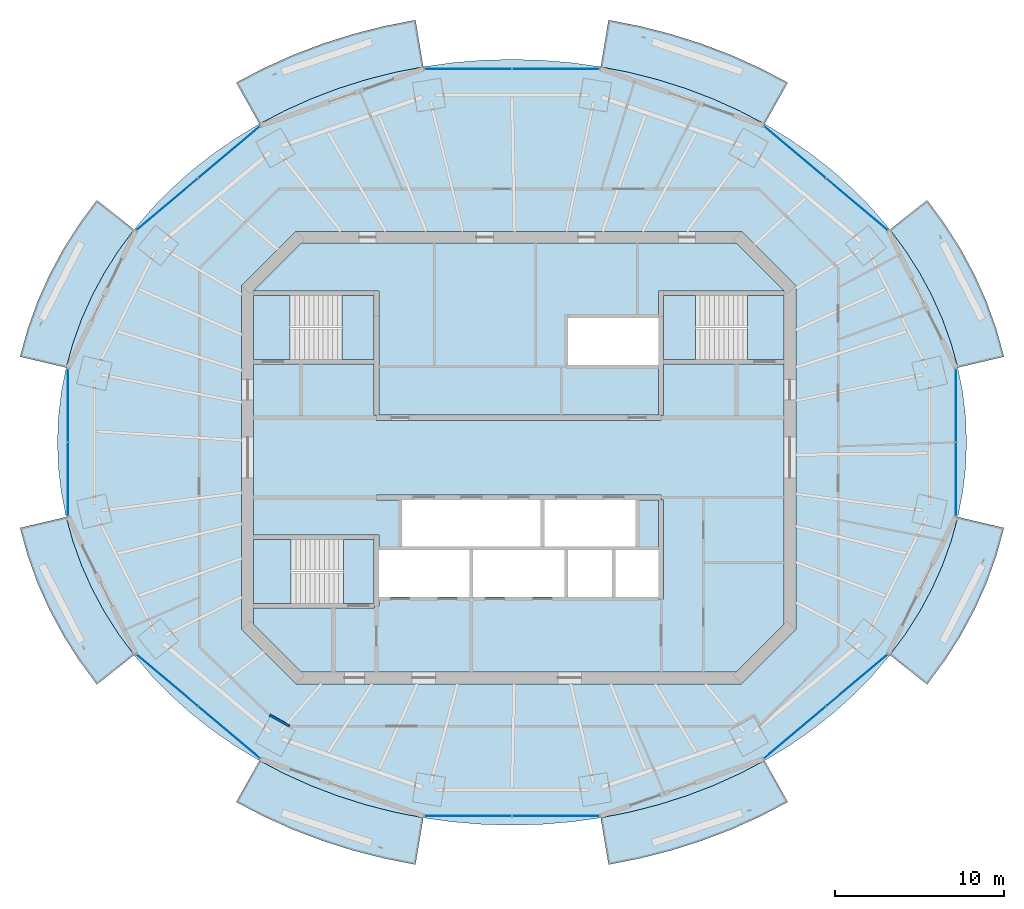
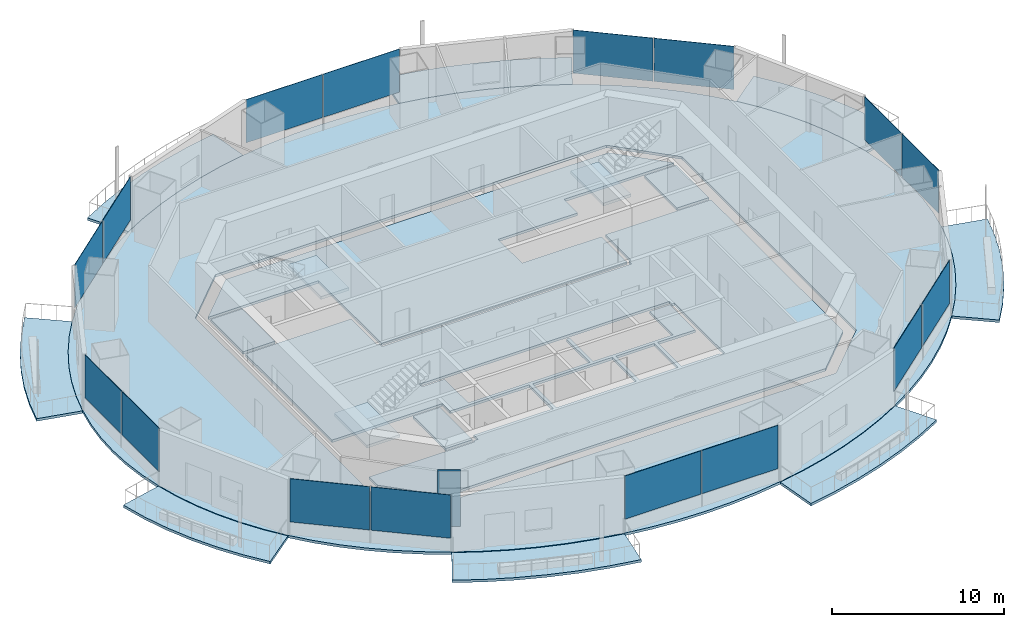
# One storey, part 7 of 16: 17 slabs, 16 plates, 1 wall, 11 elements without a shape of their own.
"""IFC4 building model written with IfcOpenShell, lengths in metres."""

import ifcopenshell
import ifcopenshell.guid

model = None  # the IFC model being written
_history = None  # IfcOwnerHistory: only IFC2X3 demands one
_inside = {}  # id of a spatial element -> (the spatial element, [elements in it])
_under = {}  # id of a project, library or spatial element -> (it, [spatial elements below it])
_declared = {}  # id of a project -> (the project, [libraries it declares])
_typed = {}  # id of a type object -> (the type object, [elements of that type])
_made_of = {}  # id of a material, layer set ... -> (it, [elements and type objects made of it])


def new_model(schema):
    """Start an empty IFC model of exactly this schema.

    Asked for "IFC4X3", IfcOpenShell would pick the latest addendum, in which some entities
    have other attributes; the version numbers below select the first issue.
    IFC2X3 requires an IfcOwnerHistory on every rooted entity: one is made here for all.
    """
    global model, _history
    if schema == "IFC4X3":
        model = ifcopenshell.file(schema_version=(4, 3, 0, 0))
    else:
        model = ifcopenshell.file(schema=schema)
    _inside.clear()
    _under.clear()
    _declared.clear()
    _typed.clear()
    _made_of.clear()
    _history = None
    if model.schema == "IFC2X3":
        org = make("IfcOrganization", Name="unknown")
        user = make(
            "IfcPersonAndOrganization",
            ThePerson=make("IfcPerson", FamilyName="unknown"),
            TheOrganization=org,
        )
        app = make(
            "IfcApplication",
            ApplicationDeveloper=org,
            Version="unknown",
            ApplicationFullName="unknown",
            ApplicationIdentifier="unknown",
        )
        _history = make(
            "IfcOwnerHistory",
            OwningUser=user,
            OwningApplication=app,
            ChangeAction="ADDED",
            CreationDate=0,
        )
    return model


def make(cls, **values):
    """One entity of the class cls with the attributes given. An attribute that is None is left unset."""
    return model.create_entity(
        cls, **{name: value for name, value in values.items() if value is not None}
    )


def rooted(cls, **values):
    """An entity with a GlobalId (a new one), such as an element, a storey or a relation."""
    return make(cls, GlobalId=ifcopenshell.guid.new(), OwnerHistory=_history, **values)


def si_unit(unit_type, name, prefix=None):
    """IfcSIUnit, for example si_unit("LENGTHUNIT", "METRE", prefix="MILLI")."""
    return make("IfcSIUnit", UnitType=unit_type, Prefix=prefix, Name=name)


def assignment(units):
    """IfcUnitAssignment: the units of a project."""
    return None if units is None else make("IfcUnitAssignment", Units=units)


def point(xyz):
    """IfcCartesianPoint."""
    return None if xyz is None else make("IfcCartesianPoint", Coordinates=xyz)


def direction(xyz):
    """IfcDirection."""
    return None if xyz is None else make("IfcDirection", DirectionRatios=xyz)


def frame(location, z_axis=None, x_axis=None):
    """IfcAxis2Placement3D, a coordinate frame: its origin and axes. An axis left out is left unset."""
    return make(
        "IfcAxis2Placement3D",
        Location=point(location),
        Axis=direction(z_axis),
        RefDirection=direction(x_axis),
    )


def frame_2d(location, x_axis=None):
    """IfcAxis2Placement2D, a coordinate frame in the plane: its origin and x axis."""
    return make(
        "IfcAxis2Placement2D", Location=point(location), RefDirection=direction(x_axis)
    )


def origin():
    """The frame at (0, 0, 0) with its axes left unset."""
    return frame((0.0, 0.0, 0.0))


def origin_2d():
    """The frame at (0, 0) in the plane with its x axis left unset."""
    return frame_2d((0.0, 0.0))


def place(relative_to, where):
    """IfcLocalPlacement: puts the frame where relative to a parent placement (None: the world)."""
    return make(
        "IfcLocalPlacement", PlacementRelTo=relative_to, RelativePlacement=where
    )


def context(
    kind, dimensions, precision=None, world=None, true_north=None, identifier=None
):
    """IfcGeometricRepresentationContext, for example the 3D "Model" context."""
    return make(
        "IfcGeometricRepresentationContext",
        ContextIdentifier=identifier,
        ContextType=kind,
        CoordinateSpaceDimension=dimensions,
        Precision=precision,
        WorldCoordinateSystem=world,
        TrueNorth=true_north,
    )


def subcontext(parent, identifier, kind, view, scale=None):
    """IfcGeometricRepresentationSubContext, for example "Body" below "Model"."""
    return make(
        "IfcGeometricRepresentationSubContext",
        ContextIdentifier=identifier,
        ContextType=kind,
        ParentContext=parent,
        TargetScale=scale,
        TargetView=view,
    )


def project(units=None, contexts=None):
    """IfcProject with its units and contexts."""
    return rooted(
        "IfcProject",
        Name="project",
        RepresentationContexts=contexts,
        UnitsInContext=assignment(units),
    )


def spatial(cls, under=None, at=None, **own):
    """A site, building, storey or space (cls), placed at a placement, below another one or the project."""
    s = rooted(cls, ObjectPlacement=at, **own)
    if under is not None:
        _under.setdefault(under.id(), (under, []))[1].append(s)
    return s


def polyline(points):
    """IfcPolyline through the points."""
    return make("IfcPolyline", Points=[point(p) for p in points])


def profile(cls, at=None, kind="AREA", **sizes):
    """A parametric profile (cls). Its sizes go by their IFC names, for example OverallWidth=200.0."""
    return make(cls, ProfileType=kind, Position=at, **sizes)


def rectangle(**sizes):
    """IfcRectangleProfileDef."""
    return profile("IfcRectangleProfileDef", **sizes)


def outline(outer, holes=None, kind="AREA"):
    """IfcArbitraryClosedProfileDef: a profile drawn as a closed curve; with holes, ...WithVoids."""
    if holes is None:
        return make("IfcArbitraryClosedProfileDef", ProfileType=kind, OuterCurve=outer)
    return make(
        "IfcArbitraryProfileDefWithVoids",
        ProfileType=kind,
        OuterCurve=outer,
        InnerCurves=holes,
    )


def extrude(swept, where, along, depth):
    """IfcExtrudedAreaSolid: the profile swept, set in the frame where, extruded along a direction by depth."""
    return make(
        "IfcExtrudedAreaSolid",
        SweptArea=swept,
        Position=where,
        ExtrudedDirection=direction(along),
        Depth=depth,
    )


def shape(context_of_items, identifier, shape_type, items):
    """IfcShapeRepresentation: the items that make up one representation, for example the "Body"."""
    return make(
        "IfcShapeRepresentation",
        ContextOfItems=context_of_items,
        RepresentationIdentifier=identifier,
        RepresentationType=shape_type,
        Items=items,
    )


def material(Name=None, Category=None):
    """IfcMaterial."""
    return make("IfcMaterial", Name=Name, Category=Category)


def layer(
    of_material, thickness, ventilated=None, Name=None, Category=None, Priority=None
):
    """IfcMaterialLayer: one layer of a wall or slab, of a material (None: an air gap)."""
    return make(
        "IfcMaterialLayer",
        Material=of_material,
        LayerThickness=thickness,
        IsVentilated=ventilated,
        Name=Name,
        Category=Category,
        Priority=Priority,
    )


def layer_set(layers, Name=None):
    """IfcMaterialLayerSet."""
    return make("IfcMaterialLayerSet", MaterialLayers=layers, LayerSetName=Name)


def made_of(thing, what):
    """Note that an element or type object is made of a material, layer set ...; save() writes the relation."""
    if what is not None:
        _made_of.setdefault(what.id(), (what, []))[1].append(thing)
    return thing


def type_object(cls, material=None, **own):
    """A type object (cls), such as IfcWallType, which elements share."""
    return made_of(rooted(cls, **own), material)


def element(
    cls,
    number,
    at=None,
    inside=None,
    cuts=None,
    type_object=None,
    material=None,
    context=None,
    identifier="Body",
    shape_type=None,
    held_by="IfcProductDefinitionShape",
    body=None,
    shapes=None,
    **own,
):
    """One element of the class cls, such as IfcWall. Its Tag is "e" and its number.

    at: its placement. inside: the storey or other place that contains it. cuts: it is an
    opening in that element (IfcRelVoidsElement). A single representation is given by context,
    identifier, shape_type and body (its items); several are given by shapes. held_by: the class
    of the entity that holds the representations. save() writes the other relations.
    """
    e = rooted(cls, Tag="e%d" % number, ObjectPlacement=at, **own)
    if body is not None:
        shapes = [shape(context, identifier, shape_type, body)]
    if shapes is not None:
        e.Representation = make(held_by, Representations=shapes)
    if inside is not None:
        _inside.setdefault(inside.id(), (inside, []))[1].append(e)
    if cuts is not None:
        rooted(
            "IfcRelVoidsElement", RelatingBuildingElement=cuts, RelatedOpeningElement=e
        )
    if type_object is not None:
        _typed.setdefault(type_object.id(), (type_object, []))[1].append(e)
    return made_of(e, material)


def aggregate(whole, parts):
    """IfcRelAggregates: a whole, such as a stair, and the parts it consists of."""
    return rooted("IfcRelAggregates", RelatingObject=whole, RelatedObjects=parts)


def save(model, path):
    """Write the relations noted so far, then the file.

    IfcRelAggregates (storeys below a building ...), IfcRelContainedInSpatialStructure (elements
    in a storey), IfcRelDefinesByType, IfcRelAssociatesMaterial and IfcRelDeclares: one each for
    every whole, place, type object, material and project.
    """
    for whole, parts in _under.values():
        aggregate(whole, parts)
    for where, things in _inside.values():
        rooted(
            "IfcRelContainedInSpatialStructure",
            RelatedElements=things,
            RelatingStructure=where,
        )
    for kind, things in _typed.values():
        rooted("IfcRelDefinesByType", RelatedObjects=things, RelatingType=kind)
    for what, things in _made_of.values():
        rooted("IfcRelAssociatesMaterial", RelatedObjects=things, RelatingMaterial=what)
    for by, libraries in _declared.values():
        rooted("IfcRelDeclares", RelatingContext=by, RelatedDefinitions=libraries)
    model.write(path)


model = new_model("IFC4")

# Units and contexts
model_context = context("Model", 3, precision=1e-05, world=origin(), true_north=direction((0.0, 1.0)))
body_context = subcontext(model_context, "Body", "Model", "MODEL_VIEW")
ifc_project = project(units=[si_unit("LENGTHUNIT", "METRE"), si_unit("AREAUNIT", "SQUARE_METRE"), si_unit("VOLUMEUNIT", "CUBIC_METRE"), si_unit("PLANEANGLEUNIT", "RADIAN"), si_unit("MASSUNIT", "GRAM", prefix="KILO")], contexts=[model_context])

# Site, building, storey
site_placement = place(None, origin())
site = spatial("IfcSite", under=ifc_project, at=site_placement, CompositionType="ELEMENT")
building_placement = place(site_placement, origin())
building = spatial("IfcBuilding", under=site, at=building_placement, Name="Marenthal Gate Tower", CompositionType="ELEMENT")
storey_placement = place(building_placement, frame((0.0, 0.0, 350.89990234375)))
storey = spatial("IfcBuildingStorey", under=building, at=storey_placement, Name="L79", CompositionType="ELEMENT", Elevation=350.89990234375)

# Slabs
ifc_material_1 = material(Name="Concrete 40 MPa", Category="concrete")
ifc_layer_1 = layer(ifc_material_1, 0.179931640625)
ifc_layer_set_1 = layer_set([ifc_layer_1], Name="Balcony deck 180")
slab_type_1 = type_object("IfcSlabType", Name="Balcony deck 180", PredefinedType="USERDEFINED", material=ifc_layer_set_1)
slab_1_placement = place(storey_placement, frame((0.0, 0.0, -0.219970703125)))
element("IfcSlab", 1, at=slab_1_placement, inside=storey, type_object=slab_type_1, Name="Balcony deck L79 bay 1", ObjectType="BALCONY", PredefinedType="USERDEFINED", context=body_context, shape_type="SweptSolid", body=[
    extrude(outline(polyline([(25.91162109375, 5.308349609375), (25.512939453125, 6.748291015625), (25.00341796875, 8.1630859375), (24.385009765625, 9.547119140625), (23.660400390625, 10.89404296875), (22.8330078125, 12.197998046875), (21.90576171875, 13.45361328125), (24.099365234375, 15.19384765625), (25.142333984375, 13.781005859375), (26.07666015625, 12.308837890625), (26.8974609375, 10.78271484375), (27.600341796875, 9.209716796875), (28.18115234375, 7.59716796875), (28.636474609375, 5.951904296875), (25.91162109375, 5.308349609375)])), origin(), (0.0, 0.0, 1.0), 0.18017578125),
])
slab_2_placement = place(storey_placement, frame((0.0, 0.0, -0.219970703125)))
element("IfcSlab", 2, at=slab_2_placement, inside=storey, type_object=slab_type_1, Name="Balcony deck L79 bay 3", ObjectType="BALCONY", PredefinedType="USERDEFINED", context=body_context, shape_type="SweptSolid", body=[
    extrude(outline(polyline([(14.50439453125, 19.68798828125), (13.013427734375, 20.46875), (11.46533203125, 21.165771484375), (9.8662109375, 21.77587890625), (8.223388671875, 22.296875), (6.543212890625, 22.72607421875), (4.833740234375, 23.061767578125), (5.29638671875, 25.8232421875), (7.15966796875, 25.45751953125), (8.992919921875, 24.989013671875), (10.78857421875, 24.419677734375), (12.539306640625, 23.75146484375), (14.238037109375, 22.98681640625), (15.877685546875, 22.1279296875), (14.50439453125, 19.68798828125)])), origin(), (0.0, 0.0, 1.0), 0.18017578125),
])
slab_3_placement = place(storey_placement, frame((0.0, 0.0, -0.219970703125)))
element("IfcSlab", 3, at=slab_3_placement, inside=storey, type_object=slab_type_1, Name="Balcony deck L79 bay 5", ObjectType="BALCONY", PredefinedType="USERDEFINED", context=body_context, shape_type="SweptSolid", body=[
    extrude(outline(polyline([(-5.6337890625, 23.061767578125), (-7.34326171875, 22.72607421875), (-9.023193359375, 22.296875), (-10.666259765625, 21.77587890625), (-12.265380859375, 21.165771484375), (-13.8134765625, 20.46875), (-15.30419921875, 19.68798828125), (-16.677490234375, 22.1279296875), (-15.0380859375, 22.98681640625), (-13.33935546875, 23.75146484375), (-11.588623046875, 24.419677734375), (-9.79296875, 24.989013671875), (-7.959716796875, 25.45751953125), (-6.096435546875, 25.8232421875), (-5.6337890625, 23.061767578125)])), origin(), (0.0, 0.0, 1.0), 0.18017578125),
])
slab_4_placement = place(storey_placement, frame((0.0, 0.0, -0.219970703125)))
element("IfcSlab", 4, at=slab_4_placement, inside=storey, type_object=slab_type_1, Name="Balcony deck L79 bay 7", ObjectType="BALCONY", PredefinedType="USERDEFINED", context=body_context, shape_type="SweptSolid", body=[
    extrude(outline(polyline([(-22.705810546875, 13.45361328125), (-23.6328125, 12.197998046875), (-24.46044921875, 10.89404296875), (-25.184814453125, 9.547119140625), (-25.80322265625, 8.1630859375), (-26.31298828125, 6.748291015625), (-26.71142578125, 5.308349609375), (-29.4365234375, 5.951904296875), (-28.981201171875, 7.59716796875), (-28.400390625, 9.209716796875), (-27.697509765625, 10.78271484375), (-26.876708984375, 12.308837890625), (-25.9423828125, 13.781005859375), (-24.8994140625, 15.19384765625), (-22.705810546875, 13.45361328125)])), origin(), (0.0, 0.0, 1.0), 0.18017578125),
])
slab_5_placement = place(storey_placement, frame((0.0, 0.0, -0.219970703125)))
element("IfcSlab", 5, at=slab_5_placement, inside=storey, type_object=slab_type_1, Name="Balcony deck L79 bay 9", ObjectType="BALCONY", PredefinedType="USERDEFINED", context=body_context, shape_type="SweptSolid", body=[
    extrude(outline(polyline([(-26.71142578125, -3.50830078125), (-26.31298828125, -4.9482421875), (-25.80322265625, -6.36328125), (-25.184814453125, -7.7470703125), (-24.46044921875, -9.093994140625), (-23.6328125, -10.39794921875), (-22.705810546875, -11.65380859375), (-24.8994140625, -13.393798828125), (-25.9423828125, -11.98095703125), (-26.876708984375, -10.5087890625), (-27.697509765625, -8.982666015625), (-28.400390625, -7.409912109375), (-28.981201171875, -5.797119140625), (-29.4365234375, -4.15185546875), (-26.71142578125, -3.50830078125)])), origin(), (0.0, 0.0, 1.0), 0.18017578125),
])
slab_6_placement = place(storey_placement, frame((0.0, 0.0, -0.219970703125)))
element("IfcSlab", 6, at=slab_6_placement, inside=storey, type_object=slab_type_1, Name="Balcony deck L79 bay 11", ObjectType="BALCONY", PredefinedType="USERDEFINED", context=body_context, shape_type="SweptSolid", body=[
    extrude(outline(polyline([(-15.30419921875, -17.887939453125), (-13.8134765625, -18.668701171875), (-12.265380859375, -19.36572265625), (-10.666259765625, -19.97607421875), (-9.023193359375, -20.496826171875), (-7.34326171875, -20.926025390625), (-5.6337890625, -21.26171875), (-6.096435546875, -24.023193359375), (-7.959716796875, -23.657470703125), (-9.79296875, -23.18896484375), (-11.588623046875, -22.61962890625), (-13.33935546875, -21.951416015625), (-15.0380859375, -21.186767578125), (-16.677490234375, -20.327880859375), (-15.30419921875, -17.887939453125)])), origin(), (0.0, 0.0, 1.0), 0.18017578125),
])
slab_7_placement = place(storey_placement, frame((0.0, 0.0, -0.219970703125)))
element("IfcSlab", 7, at=slab_7_placement, inside=storey, type_object=slab_type_1, Name="Balcony deck L79 bay 13", ObjectType="BALCONY", PredefinedType="USERDEFINED", context=body_context, shape_type="SweptSolid", body=[
    extrude(outline(polyline([(4.833740234375, -21.26171875), (6.543212890625, -20.926025390625), (8.223388671875, -20.496826171875), (9.8662109375, -19.97607421875), (11.46533203125, -19.36572265625), (13.013427734375, -18.668701171875), (14.50439453125, -17.887939453125), (15.877685546875, -20.327880859375), (14.238037109375, -21.186767578125), (12.539306640625, -21.951416015625), (10.78857421875, -22.61962890625), (8.992919921875, -23.18896484375), (7.15966796875, -23.657470703125), (5.29638671875, -24.023193359375), (4.833740234375, -21.26171875)])), origin(), (0.0, 0.0, 1.0), 0.18017578125),
])
slab_8_placement = place(storey_placement, frame((0.0, 0.0, -0.219970703125)))
element("IfcSlab", 8, at=slab_8_placement, inside=storey, type_object=slab_type_1, Name="Balcony deck L79 bay 15", ObjectType="BALCONY", PredefinedType="USERDEFINED", context=body_context, shape_type="SweptSolid", body=[
    extrude(outline(polyline([(21.90576171875, -11.65380859375), (22.8330078125, -10.39794921875), (23.660400390625, -9.093994140625), (24.385009765625, -7.7470703125), (25.00341796875, -6.36328125), (25.512939453125, -4.9482421875), (25.91162109375, -3.50830078125), (28.636474609375, -4.15185546875), (28.18115234375, -5.797119140625), (27.600341796875, -7.409912109375), (26.8974609375, -8.982666015625), (26.07666015625, -10.5087890625), (25.142333984375, -11.98095703125), (24.099365234375, -13.393798828125), (21.90576171875, -11.65380859375)])), origin(), (0.0, 0.0, 1.0), 0.18017578125),
])
ifc_material_2 = material(Name="Concrete 50 MPa", Category="concrete")
ifc_layer_2 = layer(ifc_material_2, 0.179931640625)
ifc_layer_set_2 = layer_set([ifc_layer_2], Name="Core floor slab 180")
slab_type_2 = type_object("IfcSlabType", Name="Core floor slab 180", PredefinedType="FLOOR", material=ifc_layer_set_2)
slab_9_placement = place(storey_placement, frame((0.0, 0.0, -0.179931640625)))
element("IfcSlab", 9, at=slab_9_placement, inside=storey, type_object=slab_type_2, Name="Core floor L79", PredefinedType="FLOOR", context=body_context, shape_type="SweptSolid", body=[
    extrude(outline(polyline([(12.85498046875, -12.64990234375), (-12.85498046875, -12.64990234375), (-15.64990234375, -9.85498046875), (-15.64990234375, -8.875), (-8.550048828125, -8.875), (-8.550048828125, -8.75), (-8.25, -8.75), (-8.25, -8.239990234375), (-5.60009765625, -8.239990234375), (-2.909912109375, -8.239990234375), (-2.909912109375, -5.4599609375), (-5.60009765625, -5.4599609375), (-8.25, -5.4599609375), (-8.25, -4.574951171875), (-8.550048828125, -4.574951171875), (-15.64990234375, -4.574951171875), (-15.64990234375, 5.52490234375), (-8.550048828125, 5.52490234375), (-8.550048828125, 2.5), (-8.39990234375, 2.5), (-8.39990234375, 2.199951171875), (8.39990234375, 2.199951171875), (8.39990234375, 2.5), (8.550048828125, 2.5), (8.550048828125, 5.52490234375), (15.64990234375, 5.52490234375), (15.64990234375, -9.85498046875), (12.85498046875, -12.64990234375)]), holes=[polyline([(0.0, -8.239990234375), (2.68994140625, -8.239990234375), (2.68994140625, -5.4599609375), (0.0, -5.4599609375), (-2.68994140625, -5.4599609375), (-2.68994140625, -8.239990234375), (0.0, -8.239990234375)]), polyline([(1.2900390625, -5.239990234375), (1.2900390625, -2.5), (1.510009765625, -2.5), (1.510009765625, -5.239990234375), (4.199951171875, -5.239990234375), (6.889892578125, -5.239990234375), (6.889892578125, -2.5), (8.25, -2.5), (8.25, -5.4599609375), (5.7099609375, -5.4599609375), (5.7099609375, -8.239990234375), (8.25, -8.239990234375), (8.25, -8.35009765625), (8.550048828125, -8.35009765625), (8.550048828125, -2.5), (8.39990234375, -2.5), (8.39990234375, -2.199951171875), (-8.39990234375, -2.199951171875), (-8.39990234375, -2.5), (-6.889892578125, -2.5), (-6.889892578125, -5.239990234375), (-4.199951171875, -5.239990234375), (-1.39990234375, -5.239990234375), (1.2900390625, -5.239990234375)]), polyline([(5.489990234375, -5.4599609375), (2.909912109375, -5.4599609375), (2.909912109375, -8.239990234375), (5.489990234375, -8.239990234375), (5.489990234375, -5.4599609375)])]), origin(), (0.0, 0.0, 1.0), 0.179931640625),
])
slab_10_placement = place(storey_placement, frame((0.0, 0.0, -0.179931640625)))
element("IfcSlab", 10, at=slab_10_placement, inside=storey, type_object=slab_type_2, Name="Core floor L79", PredefinedType="FLOOR", context=body_context, shape_type="SweptSolid", body=[
    extrude(outline(polyline([(15.64990234375, 5.77490234375), (13.5, 5.77490234375), (13.5, 9.574951171875), (15.64990234375, 9.574951171875), (15.64990234375, 5.77490234375)])), origin(), (0.0, 0.0, 1.0), 0.179931640625),
])
slab_11_placement = place(storey_placement, frame((0.0, 0.0, -0.179931640625)))
element("IfcSlab", 11, at=slab_11_placement, inside=storey, type_object=slab_type_2, Name="Core floor L79", PredefinedType="FLOOR", context=body_context, shape_type="SweptSolid", body=[
    extrude(outline(polyline([(15.64990234375, 9.824951171875), (8.550048828125, 9.824951171875), (8.25, 9.824951171875), (8.25, 8.35009765625), (8.25, 8.239990234375), (5.60009765625, 8.239990234375), (2.909912109375, 8.239990234375), (2.909912109375, 5.4599609375), (5.60009765625, 5.4599609375), (8.25, 5.4599609375), (8.25, 2.5), (-8.25, 2.5), (-8.25, 8.35009765625), (-8.25, 9.824951171875), (-8.550048828125, 9.824951171875), (-15.64990234375, 9.824951171875), (-15.64990234375, 9.85498046875), (-12.85498046875, 12.64990234375), (12.85498046875, 12.64990234375), (15.64990234375, 9.85498046875), (15.64990234375, 9.824951171875)])), origin(), (0.0, 0.0, 1.0), 0.179931640625),
])
slab_12_placement = place(storey_placement, frame((0.0, 0.0, -0.179931640625)))
element("IfcSlab", 12, at=slab_12_placement, inside=storey, type_object=slab_type_2, Name="Core floor L79", PredefinedType="FLOOR", context=body_context, shape_type="SweptSolid", body=[
    extrude(outline(polyline([(-15.64990234375, 9.574951171875), (-13.5, 9.574951171875), (-13.5, 5.77490234375), (-15.64990234375, 5.77490234375), (-15.64990234375, 9.574951171875)])), origin(), (0.0, 0.0, 1.0), 0.179931640625),
])
slab_13_placement = place(storey_placement, frame((0.0, 0.0, -0.179931640625)))
element("IfcSlab", 13, at=slab_13_placement, inside=storey, type_object=slab_type_2, Name="Core floor L79", PredefinedType="FLOOR", context=body_context, shape_type="SweptSolid", body=[
    extrude(outline(polyline([(-8.550048828125, -4.824951171875), (-8.550048828125, -8.625), (-10.35009765625, -8.625), (-10.35009765625, -4.824951171875), (-8.550048828125, -4.824951171875)])), origin(), (0.0, 0.0, 1.0), 0.179931640625),
])
ifc_material_3 = material(Name="Concrete 35 MPa", Category="concrete")
ifc_layer_3 = layer(ifc_material_3, 0.179931640625)
ifc_layer_set_3 = layer_set([ifc_layer_3], Name="Floor slab 180")
slab_type_3 = type_object("IfcSlabType", Name="Floor slab 180", PredefinedType="FLOOR", material=ifc_layer_set_3)
slab_14_placement = place(storey_placement, frame((0.0, 0.0, -0.179931640625)))
element("IfcSlab", 14, at=slab_14_placement, inside=storey, type_object=slab_type_3, Name="SL-L79-01", PredefinedType="FLOOR", context=body_context, shape_type="SweptSolid", body=[
    extrude(outline(polyline([(26.427001953125, 0.89990234375), (26.36962890625, 2.377685546875), (26.197509765625, 3.849365234375), (25.91162109375, 5.308349609375), (25.512939453125, 6.748291015625), (25.00341796875, 8.1630859375), (24.385009765625, 9.547119140625), (23.660400390625, 10.89404296875), (22.8330078125, 12.197998046875), (21.90576171875, 13.45361328125), (20.88330078125, 14.655517578125), (19.76953125, 15.798583984375), (18.569580078125, 16.877685546875), (17.288330078125, 17.888671875), (15.93115234375, 18.82666015625), (14.50439453125, 19.68798828125), (13.013427734375, 20.46875), (11.46533203125, 21.165771484375), (9.8662109375, 21.77587890625), (8.223388671875, 22.296875), (6.543212890625, 22.72607421875), (4.833740234375, 23.061767578125), (3.1015625, 23.302734375), (1.3544921875, 23.447509765625), (-0.39990234375, 23.49609375), (-2.154541015625, 23.447509765625), (-3.901611328125, 23.302734375), (-5.6337890625, 23.061767578125), (-7.34326171875, 22.72607421875), (-9.023193359375, 22.296875), (-10.666259765625, 21.77587890625), (-12.265380859375, 21.165771484375), (-13.8134765625, 20.46875), (-15.30419921875, 19.68798828125), (-16.731201171875, 18.82666015625), (-18.08837890625, 17.888671875), (-19.36962890625, 16.877685546875), (-20.569580078125, 15.798583984375), (-21.683349609375, 14.655517578125), (-22.705810546875, 13.45361328125), (-23.6328125, 12.197998046875), (-24.46044921875, 10.89404296875), (-25.184814453125, 9.547119140625), (-25.80322265625, 8.1630859375), (-26.31298828125, 6.748291015625), (-26.71142578125, 5.308349609375), (-26.99755859375, 3.849365234375), (-27.169677734375, 2.377685546875), (-27.22705078125, 0.89990234375), (-27.169677734375, -0.577880859375), (-26.99755859375, -2.04931640625), (-26.71142578125, -3.50830078125), (-26.31298828125, -4.9482421875), (-25.80322265625, -6.36328125), (-25.184814453125, -7.7470703125), (-24.46044921875, -9.093994140625), (-23.6328125, -10.39794921875), (-22.705810546875, -11.65380859375), (-21.683349609375, -12.855712890625), (-20.569580078125, -13.99853515625), (-19.36962890625, -15.077880859375), (-18.08837890625, -16.088623046875), (-16.731201171875, -17.026611328125), (-15.30419921875, -17.887939453125), (-13.8134765625, -18.668701171875), (-12.265380859375, -19.36572265625), (-10.666259765625, -19.97607421875), (-9.023193359375, -20.496826171875), (-7.34326171875, -20.926025390625), (-5.6337890625, -21.26171875), (-3.901611328125, -21.502685546875), (-2.154541015625, -21.647705078125), (-0.39990234375, -21.696044921875), (1.3544921875, -21.647705078125), (3.1015625, -21.502685546875), (4.833740234375, -21.26171875), (6.543212890625, -20.926025390625), (8.223388671875, -20.496826171875), (9.8662109375, -19.97607421875), (11.46533203125, -19.36572265625), (13.013427734375, -18.668701171875), (14.50439453125, -17.887939453125), (15.93115234375, -17.026611328125), (17.288330078125, -16.088623046875), (18.569580078125, -15.077880859375), (19.76953125, -13.99853515625), (20.88330078125, -12.855712890625), (21.90576171875, -11.65380859375), (22.8330078125, -10.39794921875), (23.660400390625, -9.093994140625), (24.385009765625, -7.7470703125), (25.00341796875, -6.36328125), (25.512939453125, -4.9482421875), (25.91162109375, -3.50830078125), (26.197509765625, -2.04931640625), (26.36962890625, -0.577880859375), (26.427001953125, 0.89990234375)]), holes=[polyline([(13.14501953125, -13.35009765625), (16.35009765625, -10.14501953125), (16.35009765625, 10.14501953125), (13.14501953125, 13.35009765625), (-13.14501953125, 13.35009765625), (-16.35009765625, 10.14501953125), (-16.35009765625, -10.14501953125), (-13.14501953125, -13.35009765625), (13.14501953125, -13.35009765625)])]), origin(), (0.0, 0.0, 1.0), 0.179931640625),
])

# Curtain wall, plates
ifc_material_4 = material(Name="Aluminium and glass", Category="aluminium")
curtain_wall_type = type_object("IfcCurtainWallType", Name="Curtain wall typical high", PredefinedType="NOTDEFINED", material=ifc_material_4)
curtain_wall_1_placement = place(storey_placement, origin())
curtain_wall_1 = element("IfcCurtainWall", 15, at=curtain_wall_1_placement, inside=storey, type_object=curtain_wall_type, Name="Curtain wall L79 bay 2", PredefinedType="NOTDEFINED")
ifc_material_5 = material(Name="Glass, laminated insulating unit", Category="glass")
ifc_layer_4 = layer(ifc_material_5, 0.031982421875)
ifc_layer_set_4 = layer_set([ifc_layer_4], Name="Glass panel 32 typical high")
plate_type = type_object("IfcPlateType", Name="Glass panel 32 typical high", PredefinedType="CURTAIN_PANEL", material=ifc_layer_set_4)
plate_1_placement = place(storey_placement, frame((19.952392578125, 14.947021484375, 0.89990234375), z_axis=(0.0, 0.0, 1.0), x_axis=(-0.765113379195, 0.643895579249, 0.0)))
plate_1 = element("IfcPlate", 16, at=plate_1_placement, type_object=plate_type, Name="Glass panel L79 bay 2.1", PredefinedType="CURTAIN_PANEL", context=body_context, shape_type="SweptSolid", body=[
    extrude(rectangle(XDim=4.725341796875, YDim=0.031982421875, at=origin_2d()), origin(), (0.0, 0.0, 1.0), 3.070068359375),
])
plate_2_placement = place(storey_placement, frame((16.291259765625, 18.028076171875, 0.89990234375), z_axis=(0.0, 0.0, 1.0), x_axis=(-0.765113379195, 0.643895579249, 0.0)))
plate_2 = element("IfcPlate", 17, at=plate_2_placement, type_object=plate_type, Name="Glass panel L79 bay 2.2", PredefinedType="CURTAIN_PANEL", context=body_context, shape_type="SweptSolid", body=[
    extrude(rectangle(XDim=4.725341796875, YDim=0.031982421875, at=origin_2d()), origin(), (0.0, 0.0, 1.0), 3.070068359375),
])
aggregate(curtain_wall_1, [plate_1, plate_2])

curtain_wall_2_placement = place(storey_placement, origin())
curtain_wall_2 = element("IfcCurtainWall", 18, at=curtain_wall_2_placement, inside=storey, type_object=curtain_wall_type, Name="Curtain wall L79 bay 4", PredefinedType="NOTDEFINED")
plate_3_placement = place(storey_placement, frame((2.190185546875, 22.944091796875, 0.89990234375), z_axis=(0.0, 0.0, 1.0), x_axis=(-1.0, 0.0, 0.0)))
plate_3 = element("IfcPlate", 19, at=plate_3_placement, type_object=plate_type, Name="Glass panel L79 bay 4.1", PredefinedType="CURTAIN_PANEL", context=body_context, shape_type="SweptSolid", body=[
    extrude(rectangle(XDim=5.120361328125, YDim=0.031982421875, at=origin_2d()), origin(), (0.0, 0.0, 1.0), 3.070068359375),
])
plate_4_placement = place(storey_placement, frame((-2.990234375, 22.944091796875, 0.89990234375), z_axis=(0.0, 0.0, 1.0), x_axis=(-1.0, 0.0, 0.0)))
plate_4 = element("IfcPlate", 20, at=plate_4_placement, type_object=plate_type, Name="Glass panel L79 bay 4.2", PredefinedType="CURTAIN_PANEL", context=body_context, shape_type="SweptSolid", body=[
    extrude(rectangle(XDim=5.120361328125, YDim=0.031982421875, at=origin_2d()), origin(), (0.0, 0.0, 1.0), 3.070068359375),
])
aggregate(curtain_wall_2, [plate_3, plate_4])

curtain_wall_3_placement = place(storey_placement, origin())
curtain_wall_3 = element("IfcCurtainWall", 21, at=curtain_wall_3_placement, inside=storey, type_object=curtain_wall_type, Name="Curtain wall L79 bay 6", PredefinedType="NOTDEFINED")
plate_5_placement = place(storey_placement, frame((-17.09130859375, 18.028076171875, 0.89990234375), z_axis=(0.0, 0.0, 1.0), x_axis=(-0.765113379195, -0.643895579249, 0.0)))
plate_5 = element("IfcPlate", 22, at=plate_5_placement, type_object=plate_type, Name="Glass panel L79 bay 6.1", PredefinedType="CURTAIN_PANEL", context=body_context, shape_type="SweptSolid", body=[
    extrude(rectangle(XDim=4.725341796875, YDim=0.031982421875, at=origin_2d()), origin(), (0.0, 0.0, 1.0), 3.070068359375),
])
plate_6_placement = place(storey_placement, frame((-20.75244140625, 14.947021484375, 0.89990234375), z_axis=(0.0, 0.0, 1.0), x_axis=(-0.765113379195, -0.643895579249, 0.0)))
plate_6 = element("IfcPlate", 23, at=plate_6_placement, type_object=plate_type, Name="Glass panel L79 bay 6.2", PredefinedType="CURTAIN_PANEL", context=body_context, shape_type="SweptSolid", body=[
    extrude(rectangle(XDim=4.725341796875, YDim=0.031982421875, at=origin_2d()), origin(), (0.0, 0.0, 1.0), 3.070068359375),
])
aggregate(curtain_wall_3, [plate_5, plate_6])

curtain_wall_4_placement = place(storey_placement, origin())
curtain_wall_4 = element("IfcCurtainWall", 24, at=curtain_wall_4_placement, inside=storey, type_object=curtain_wall_type, Name="Curtain wall L79 bay 8", PredefinedType="NOTDEFINED")
plate_7_placement = place(storey_placement, frame((-26.59375, 3.077392578125, 0.89990234375), z_axis=(0.0, 0.0, 1.0), x_axis=(0.0, -1.0, 0.0)))
plate_7 = element("IfcPlate", 25, at=plate_7_placement, type_object=plate_type, Name="Glass panel L79 bay 8.1", PredefinedType="CURTAIN_PANEL", context=body_context, shape_type="SweptSolid", body=[
    extrude(rectangle(XDim=4.294921875, YDim=0.031982421875, at=origin_2d()), origin(), (0.0, 0.0, 1.0), 3.070068359375),
])
plate_8_placement = place(storey_placement, frame((-26.59375, -1.27734375, 0.89990234375), z_axis=(0.0, 0.0, 1.0), x_axis=(0.0, -1.0, 0.0)))
plate_8 = element("IfcPlate", 26, at=plate_8_placement, type_object=plate_type, Name="Glass panel L79 bay 8.2", PredefinedType="CURTAIN_PANEL", context=body_context, shape_type="SweptSolid", body=[
    extrude(rectangle(XDim=4.294921875, YDim=0.031982421875, at=origin_2d()), origin(), (0.0, 0.0, 1.0), 3.070068359375),
])
aggregate(curtain_wall_4, [plate_7, plate_8])

curtain_wall_5_placement = place(storey_placement, origin())
curtain_wall_5 = element("IfcCurtainWall", 27, at=curtain_wall_5_placement, inside=storey, type_object=curtain_wall_type, Name="Curtain wall L79 bay 10", PredefinedType="NOTDEFINED")
plate_9_placement = place(storey_placement, frame((-20.75244140625, -13.14697265625, 0.89990234375), z_axis=(0.0, 0.0, 1.0), x_axis=(0.765113379195, -0.643895579249, 0.0)))
plate_9 = element("IfcPlate", 28, at=plate_9_placement, type_object=plate_type, Name="Glass panel L79 bay 10.1", PredefinedType="CURTAIN_PANEL", context=body_context, shape_type="SweptSolid", body=[
    extrude(rectangle(XDim=4.725341796875, YDim=0.031982421875, at=origin_2d()), origin(), (0.0, 0.0, 1.0), 3.070068359375),
])
plate_10_placement = place(storey_placement, frame((-17.09130859375, -16.228271484375, 0.89990234375), z_axis=(0.0, 0.0, 1.0), x_axis=(0.765113379195, -0.643895579249, 0.0)))
plate_10 = element("IfcPlate", 29, at=plate_10_placement, type_object=plate_type, Name="Glass panel L79 bay 10.2", PredefinedType="CURTAIN_PANEL", context=body_context, shape_type="SweptSolid", body=[
    extrude(rectangle(XDim=4.725341796875, YDim=0.031982421875, at=origin_2d()), origin(), (0.0, 0.0, 1.0), 3.070068359375),
])
aggregate(curtain_wall_5, [plate_9, plate_10])

curtain_wall_6_placement = place(storey_placement, origin())
curtain_wall_6 = element("IfcCurtainWall", 30, at=curtain_wall_6_placement, inside=storey, type_object=curtain_wall_type, Name="Curtain wall L79 bay 12", PredefinedType="NOTDEFINED")
plate_11_placement = place(storey_placement, frame((-2.990234375, -21.14404296875, 0.89990234375), z_axis=(0.0, 0.0, 1.0), x_axis=(1.0, 0.0, 0.0)))
plate_11 = element("IfcPlate", 31, at=plate_11_placement, type_object=plate_type, Name="Glass panel L79 bay 12.1", PredefinedType="CURTAIN_PANEL", context=body_context, shape_type="SweptSolid", body=[
    extrude(rectangle(XDim=5.120361328125, YDim=0.031982421875, at=origin_2d()), origin(), (0.0, 0.0, 1.0), 3.070068359375),
])
plate_12_placement = place(storey_placement, frame((2.190185546875, -21.14404296875, 0.89990234375), z_axis=(0.0, 0.0, 1.0), x_axis=(1.0, 0.0, 0.0)))
plate_12 = element("IfcPlate", 32, at=plate_12_placement, type_object=plate_type, Name="Glass panel L79 bay 12.2", PredefinedType="CURTAIN_PANEL", context=body_context, shape_type="SweptSolid", body=[
    extrude(rectangle(XDim=5.120361328125, YDim=0.031982421875, at=origin_2d()), origin(), (0.0, 0.0, 1.0), 3.070068359375),
])
aggregate(curtain_wall_6, [plate_11, plate_12])

curtain_wall_7_placement = place(storey_placement, origin())
curtain_wall_7 = element("IfcCurtainWall", 33, at=curtain_wall_7_placement, inside=storey, type_object=curtain_wall_type, Name="Curtain wall L79 bay 14", PredefinedType="NOTDEFINED")
plate_13_placement = place(storey_placement, frame((16.291259765625, -16.228271484375, 0.89990234375), z_axis=(0.0, 0.0, 1.0), x_axis=(0.765113379195, 0.643895579249, 0.0)))
plate_13 = element("IfcPlate", 34, at=plate_13_placement, type_object=plate_type, Name="Glass panel L79 bay 14.1", PredefinedType="CURTAIN_PANEL", context=body_context, shape_type="SweptSolid", body=[
    extrude(rectangle(XDim=4.725341796875, YDim=0.031982421875, at=origin_2d()), origin(), (0.0, 0.0, 1.0), 3.070068359375),
])
plate_14_placement = place(storey_placement, frame((19.952392578125, -13.14697265625, 0.89990234375), z_axis=(0.0, 0.0, 1.0), x_axis=(0.765113379195, 0.643895579249, 0.0)))
plate_14 = element("IfcPlate", 35, at=plate_14_placement, type_object=plate_type, Name="Glass panel L79 bay 14.2", PredefinedType="CURTAIN_PANEL", context=body_context, shape_type="SweptSolid", body=[
    extrude(rectangle(XDim=4.725341796875, YDim=0.031982421875, at=origin_2d()), origin(), (0.0, 0.0, 1.0), 3.070068359375),
])
aggregate(curtain_wall_7, [plate_13, plate_14])

curtain_wall_8_placement = place(storey_placement, origin())
curtain_wall_8 = element("IfcCurtainWall", 36, at=curtain_wall_8_placement, inside=storey, type_object=curtain_wall_type, Name="Curtain wall L79 bay 16", PredefinedType="NOTDEFINED")
plate_15_placement = place(storey_placement, frame((25.793701171875, -1.27734375, 0.89990234375), z_axis=(0.0, 0.0, 1.0), x_axis=(0.0, 1.0, 0.0)))
plate_15 = element("IfcPlate", 37, at=plate_15_placement, type_object=plate_type, Name="Glass panel L79 bay 16.1", PredefinedType="CURTAIN_PANEL", context=body_context, shape_type="SweptSolid", body=[
    extrude(rectangle(XDim=4.294921875, YDim=0.031982421875, at=origin_2d()), origin(), (0.0, 0.0, 1.0), 3.070068359375),
])
plate_16_placement = place(storey_placement, frame((25.793701171875, 3.077392578125, 0.89990234375), z_axis=(0.0, 0.0, 1.0), x_axis=(0.0, 1.0, 0.0)))
plate_16 = element("IfcPlate", 38, at=plate_16_placement, type_object=plate_type, Name="Glass panel L79 bay 16.2", PredefinedType="CURTAIN_PANEL", context=body_context, shape_type="SweptSolid", body=[
    extrude(rectangle(XDim=4.294921875, YDim=0.031982421875, at=origin_2d()), origin(), (0.0, 0.0, 1.0), 3.070068359375),
])
aggregate(curtain_wall_8, [plate_15, plate_16])

# Stair, slab
ifc_material_6 = material(Name="Concrete 40 MPa", Category="concrete")
stair_type = type_object("IfcStairType", Name="Exit stair 1800", PredefinedType="HALF_TURN_STAIR", material=ifc_material_6)
stair_1_placement = place(storey_placement, origin())
stair_1 = element("IfcStair", 39, at=stair_1_placement, inside=storey, type_object=stair_type, Name="Stair ST1", PredefinedType="HALF_TURN_STAIR")
ifc_material_7 = material(Name="Concrete 40 MPa", Category="concrete")
ifc_layer_5 = layer(ifc_material_7, 0.199951171875)
ifc_layer_set_5 = layer_set([ifc_layer_5], Name="Stair landing 200")
slab_type_4 = type_object("IfcSlabType", Name="Stair landing 200", PredefinedType="LANDING", material=ifc_layer_set_5)
slab_15_placement = place(storey_placement, frame((0.0, 0.0, 1.875)))
slab_15 = element("IfcSlab", 40, at=slab_15_placement, type_object=slab_type_4, Name="ST1 landing 1", PredefinedType="LANDING", context=body_context, shape_type="SweptSolid", body=[
    extrude(outline(polyline([(-10.419921875, 5.77490234375), (-8.550048828125, 5.77490234375), (-8.550048828125, 9.574951171875), (-10.419921875, 9.574951171875), (-10.419921875, 5.77490234375)])), origin(), (0.0, 0.0, 1.0), 0.2001953125),
])
aggregate(stair_1, [slab_15])

stair_2_placement = place(storey_placement, origin())
stair_2 = element("IfcStair", 41, at=stair_2_placement, inside=storey, type_object=stair_type, Name="Stair ST2", PredefinedType="HALF_TURN_STAIR")
slab_16_placement = place(storey_placement, frame((0.0, 0.0, 1.875)))
slab_16 = element("IfcSlab", 42, at=slab_16_placement, type_object=slab_type_4, Name="ST2 landing 1", PredefinedType="LANDING", context=body_context, shape_type="SweptSolid", body=[
    extrude(outline(polyline([(-15.64990234375, -8.625), (-13.429931640625, -8.625), (-13.429931640625, -4.824951171875), (-15.64990234375, -4.824951171875), (-15.64990234375, -8.625)])), origin(), (0.0, 0.0, 1.0), 0.2001953125),
])
aggregate(stair_2, [slab_16])

stair_3_placement = place(storey_placement, origin())
stair_3 = element("IfcStair", 43, at=stair_3_placement, inside=storey, type_object=stair_type, Name="Stair ST3", PredefinedType="HALF_TURN_STAIR")
slab_17_placement = place(storey_placement, frame((0.0, 0.0, 1.875)))
slab_17 = element("IfcSlab", 44, at=slab_17_placement, type_object=slab_type_4, Name="ST3 landing 1", PredefinedType="LANDING", context=body_context, shape_type="SweptSolid", body=[
    extrude(outline(polyline([(8.550048828125, 5.77490234375), (10.419921875, 5.77490234375), (10.419921875, 9.574951171875), (8.550048828125, 9.574951171875), (8.550048828125, 5.77490234375)])), origin(), (0.0, 0.0, 1.0), 0.2001953125),
])
aggregate(stair_3, [slab_17])

# Wall
ifc_material_8 = material(Name="Gypsum board on steel studs", Category="steel")
ifc_layer_6 = layer(ifc_material_8, 0.14990234375)
ifc_layer_set_6 = layer_set([ifc_layer_6], Name="Partition 150")
wall_type = type_object("IfcWallType", Name="Partition 150", PredefinedType="PARTITIONING", material=ifc_layer_set_6)
wall_placement = place(storey_placement, frame((-13.527587890625, -15.85009765625, 0.0), z_axis=(0.0, 0.0, 1.0), x_axis=(-0.874029209117, 0.485873380224, 0.0)))
element("IfcWall", 45, at=wall_placement, inside=storey, type_object=wall_type, Name="Partition wall 57", PredefinedType="PARTITIONING", context=body_context, shape_type="SweptSolid", body=[
    extrude(rectangle(XDim=1.34912109375, YDim=0.14990234375, at=frame_2d((0.674560546875, 0.0))), origin(), (0.0, 0.0, 1.0), 3.97021484375),
])

save(model, "model.ifc")
